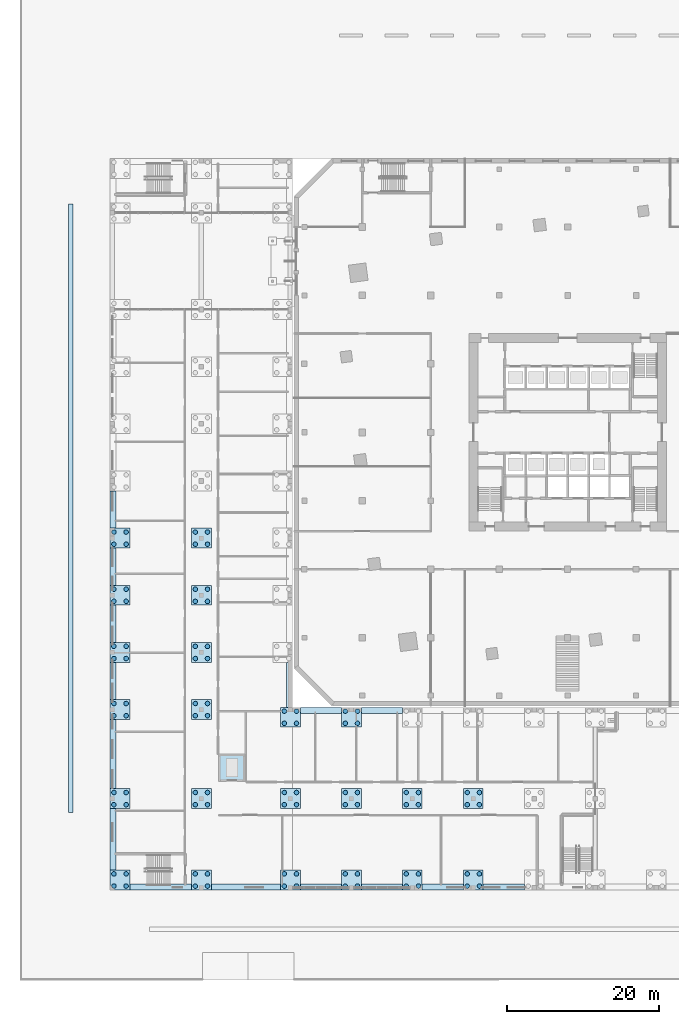
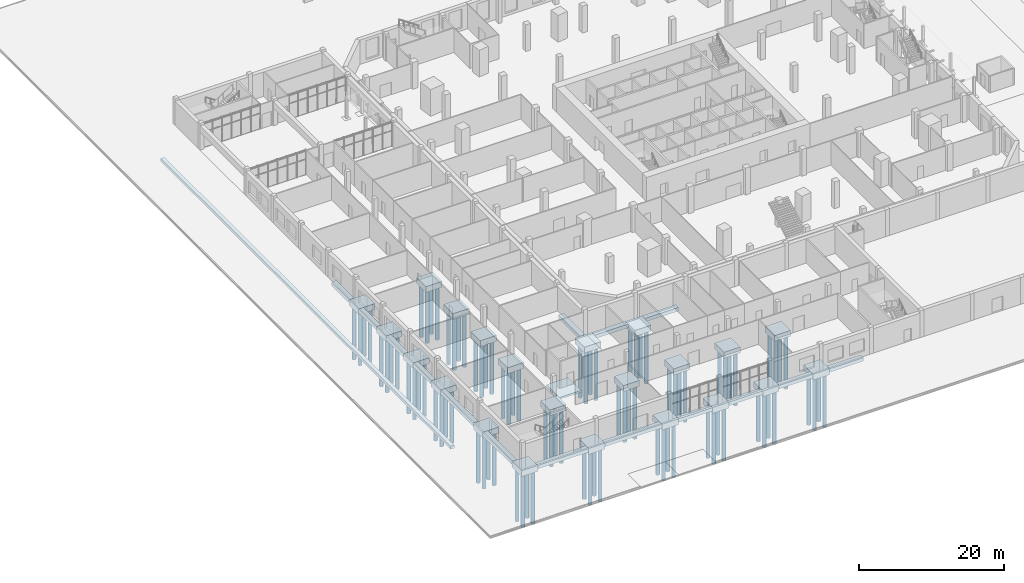
# One storey, part 1 of 42: 88 piles, 39 footings.
"""IFC4 building model written with IfcOpenShell, lengths in metres."""

from ifc_helpers import new_model, si_unit, direction, frame, origin, origin_2d, place, context, subcontext, project, spatial, polyline, circle, outline, extrude, material, layer, layer_set, material_profile, profile_set, type_object, element, save


model = new_model("IFC4")

# Units and contexts
model_context = context("Model", 3, precision=1e-05, world=origin(), true_north=direction((0.0, 1.0)))
body_context = subcontext(model_context, "Body", "Model", "MODEL_VIEW")
ifc_project = project(units=[si_unit("LENGTHUNIT", "METRE"), si_unit("AREAUNIT", "SQUARE_METRE"), si_unit("VOLUMEUNIT", "CUBIC_METRE"), si_unit("PLANEANGLEUNIT", "RADIAN"), si_unit("MASSUNIT", "GRAM", prefix="KILO")], contexts=[model_context])

# Site, building, storey
site_placement = place(None, origin())
site = spatial("IfcSite", under=ifc_project, at=site_placement, CompositionType="ELEMENT")
building_placement = place(site_placement, origin())
building = spatial("IfcBuilding", under=site, at=building_placement, Name="Dilmun Exchange Tower", CompositionType="ELEMENT")
storey_placement = place(building_placement, origin())
storey = spatial("IfcBuildingStorey", under=building, at=storey_placement, Name="L00", CompositionType="ELEMENT", Elevation=0.0)

# Piles
ifc_material_1 = material(Name="Concrete C32/40", Category="concrete")
ifc_material_profile = material_profile(ifc_material_1, circle(Radius=0.300048828125, at=origin_2d()), Name="D600")
ifc_profile_set = profile_set([ifc_material_profile], Name="Concrete C32/40")
pile_type = type_object("IfcPileType", Name="School bored pile D600", PredefinedType="BORED", material=ifc_profile_set)
for number, where, z_axis, x_axis, name in (
    (1, (-59.64990234375, -59.64990234375, -1.050048828125), (0.0, 0.0, -1.0), (1.0, 0.0, 0.0), "School pile X01Y01"),
    (2, (-59.64990234375, -58.050048828125, -1.050048828125), (0.0, 0.0, -1.0), (1.0, 0.0, 0.0), "School pile X01Y01"),
    (3, (-58.050048828125, -59.64990234375, -1.050048828125), (0.0, 0.0, -1.0), (1.0, 0.0, 0.0), "School pile X01Y01"),
    (4, (-58.050048828125, -58.050048828125, -1.050048828125), (0.0, 0.0, -1.0), (1.0, 0.0, 0.0), "School pile X01Y01"),
    (5, (-59.64990234375, -48.949951171875, -1.050048828125), (0.0, 0.0, -1.0), (1.0, 0.0, 0.0), "School pile X01Y02"),
    (6, (-59.64990234375, -47.35009765625, -1.050048828125), (0.0, 0.0, -1.0), (1.0, 0.0, 0.0), "School pile X01Y02"),
    (7, (-58.050048828125, -48.949951171875, -1.050048828125), (0.0, 0.0, -1.0), (1.0, 0.0, 0.0), "School pile X01Y02"),
    (8, (-58.050048828125, -47.35009765625, -1.050048828125), (0.0, 0.0, -1.0), (1.0, 0.0, 0.0), "School pile X01Y02"),
    (9, (-59.64990234375, -37.25, -1.050048828125), (0.0, 0.0, -1.0), (1.0, 0.0, 0.0), "School pile X01Y03"),
    (10, (-59.64990234375, -35.64990234375, -1.050048828125), (0.0, 0.0, -1.0), (1.0, 0.0, 0.0), "School pile X01Y03"),
    (11, (-58.050048828125, -37.25, -1.050048828125), (0.0, 0.0, -1.0), (1.0, 0.0, 0.0), "School pile X01Y03"),
    (12, (-58.050048828125, -35.64990234375, -1.050048828125), (0.0, 0.0, -1.0), (1.0, 0.0, 0.0), "School pile X01Y03"),
    (13, (-59.64990234375, -29.736083984375, -1.050048828125), (0.0, 0.0, -1.0), (1.0, 0.0, 0.0), "School pile X01Y04"),
    (14, (-59.64990234375, -28.135986328125, -1.050048828125), (0.0, 0.0, -1.0), (1.0, 0.0, 0.0), "School pile X01Y04"),
    (15, (-58.050048828125, -29.736083984375, -1.050048828125), (0.0, 0.0, -1.0), (1.0, 0.0, 0.0), "School pile X01Y04"),
    (16, (-58.050048828125, -28.135986328125, -1.050048828125), (0.0, 0.0, -1.0), (1.0, 0.0, 0.0), "School pile X01Y04"),
    (17, (-59.64990234375, -22.220947265625, -1.050048828125), (0.0, 0.0, -1.0), (1.0, 0.0, 0.0), "School pile X01Y05"),
    (18, (-59.64990234375, -20.62109375, -1.050048828125), (0.0, 0.0, -1.0), (1.0, 0.0, 0.0), "School pile X01Y05"),
    (19, (-58.050048828125, -22.220947265625, -1.050048828125), (0.0, 0.0, -1.0), (1.0, 0.0, 0.0), "School pile X01Y05"),
    (20, (-58.050048828125, -20.62109375, -1.050048828125), (0.0, 0.0, -1.0), (1.0, 0.0, 0.0), "School pile X01Y05"),
    (21, (-59.64990234375, -14.70703125, -1.050048828125), (0.0, 0.0, -1.0), (1.0, 0.0, 0.0), "School pile X01Y06"),
    (22, (-59.64990234375, -13.10693359375, -1.050048828125), (0.0, 0.0, -1.0), (1.0, 0.0, 0.0), "School pile X01Y06"),
    (23, (-58.050048828125, -14.70703125, -1.050048828125), (0.0, 0.0, -1.0), (1.0, 0.0, 0.0), "School pile X01Y06"),
    (24, (-58.050048828125, -13.10693359375, -1.050048828125), (0.0, 0.0, -1.0), (1.0, 0.0, 0.0), "School pile X01Y06"),
    (25, (-48.949951171875, -59.64990234375, -1.050048828125), (0.0, 0.0, -1.0), (1.0, 0.0, 0.0), "School pile X02Y01"),
    (26, (-48.949951171875, -58.050048828125, -1.050048828125), (0.0, 0.0, -1.0), (1.0, 0.0, 0.0), "School pile X02Y01"),
    (27, (-47.35009765625, -59.64990234375, -1.050048828125), (0.0, 0.0, -1.0), (1.0, 0.0, 0.0), "School pile X02Y01"),
    (28, (-47.35009765625, -58.050048828125, -1.050048828125), (0.0, 0.0, -1.0), (1.0, 0.0, 0.0), "School pile X02Y01"),
    (29, (-48.949951171875, -48.949951171875, -1.050048828125), (0.0, 0.0, -1.0), (1.0, 0.0, 0.0), "School pile X02Y02"),
    (30, (-48.949951171875, -47.35009765625, -1.050048828125), (0.0, 0.0, -1.0), (1.0, 0.0, 0.0), "School pile X02Y02"),
    (31, (-47.35009765625, -48.949951171875, -1.050048828125), (0.0, 0.0, -1.0), (1.0, 0.0, 0.0), "School pile X02Y02"),
    (32, (-47.35009765625, -47.35009765625, -1.050048828125), (0.0, 0.0, -1.0), (1.0, 0.0, 0.0), "School pile X02Y02"),
    (33, (-48.949951171875, -37.25, -1.050048828125), (0.0, 0.0, -1.0), (1.0, 0.0, 0.0), "School pile X02Y03"),
    (34, (-48.949951171875, -35.64990234375, -1.050048828125), (0.0, 0.0, -1.0), (1.0, 0.0, 0.0), "School pile X02Y03"),
    (35, (-47.35009765625, -37.25, -1.050048828125), (0.0, 0.0, -1.0), (1.0, 0.0, 0.0), "School pile X02Y03"),
    (36, (-47.35009765625, -35.64990234375, -1.050048828125), (0.0, 0.0, -1.0), (1.0, 0.0, 0.0), "School pile X02Y03"),
    (37, (-48.949951171875, -29.736083984375, -1.050048828125), (0.0, 0.0, -1.0), (1.0, 0.0, 0.0), "School pile X02Y04"),
    (38, (-48.949951171875, -28.135986328125, -1.050048828125), (0.0, 0.0, -1.0), (1.0, 0.0, 0.0), "School pile X02Y04"),
    (39, (-47.35009765625, -29.736083984375, -1.050048828125), (0.0, 0.0, -1.0), (1.0, 0.0, 0.0), "School pile X02Y04"),
    (40, (-47.35009765625, -28.135986328125, -1.050048828125), (0.0, 0.0, -1.0), (1.0, 0.0, 0.0), "School pile X02Y04"),
    (41, (-48.949951171875, -22.220947265625, -1.050048828125), (0.0, 0.0, -1.0), (1.0, 0.0, 0.0), "School pile X02Y05"),
    (42, (-48.949951171875, -20.62109375, -1.050048828125), (0.0, 0.0, -1.0), (1.0, 0.0, 0.0), "School pile X02Y05"),
    (43, (-47.35009765625, -22.220947265625, -1.050048828125), (0.0, 0.0, -1.0), (1.0, 0.0, 0.0), "School pile X02Y05"),
    (44, (-47.35009765625, -20.62109375, -1.050048828125), (0.0, 0.0, -1.0), (1.0, 0.0, 0.0), "School pile X02Y05"),
    (45, (-48.949951171875, -14.70703125, -1.050048828125), (0.0, 0.0, -1.0), (1.0, 0.0, 0.0), "School pile X02Y06"),
    (46, (-48.949951171875, -13.10693359375, -1.050048828125), (0.0, 0.0, -1.0), (1.0, 0.0, 0.0), "School pile X02Y06"),
    (47, (-47.35009765625, -14.70703125, -1.050048828125), (0.0, 0.0, -1.0), (1.0, 0.0, 0.0), "School pile X02Y06"),
    (48, (-47.35009765625, -13.10693359375, -1.050048828125), (0.0, 0.0, -1.0), (1.0, 0.0, 0.0), "School pile X02Y06"),
    (49, (-37.25, -59.64990234375, -1.050048828125), (0.0, 0.0, -1.0), (1.0, 0.0, 0.0), "School pile X03Y01"),
    (50, (-37.25, -58.050048828125, -1.050048828125), (0.0, 0.0, -1.0), (1.0, 0.0, 0.0), "School pile X03Y01"),
    (51, (-35.64990234375, -59.64990234375, -1.050048828125), (0.0, 0.0, -1.0), (1.0, 0.0, 0.0), "School pile X03Y01"),
    (52, (-35.64990234375, -58.050048828125, -1.050048828125), (0.0, 0.0, -1.0), (1.0, 0.0, 0.0), "School pile X03Y01"),
    (53, (-37.25, -48.949951171875, -1.050048828125), (0.0, 0.0, -1.0), (1.0, 0.0, 0.0), "School pile X03Y02"),
    (54, (-37.25, -47.35009765625, -1.050048828125), (0.0, 0.0, -1.0), (1.0, 0.0, 0.0), "School pile X03Y02"),
    (55, (-35.64990234375, -48.949951171875, -1.050048828125), (0.0, 0.0, -1.0), (1.0, 0.0, 0.0), "School pile X03Y02"),
    (56, (-35.64990234375, -47.35009765625, -1.050048828125), (0.0, 0.0, -1.0), (1.0, 0.0, 0.0), "School pile X03Y02"),
    (57, (-37.25, -38.25, -1.050048828125), (0.0, 0.0, -1.0), (1.0, 0.0, 0.0), "School pile X03Y03"),
    (58, (-37.25, -36.64990234375, -1.050048828125), (0.0, 0.0, -1.0), (1.0, 0.0, 0.0), "School pile X03Y03"),
    (59, (-35.64990234375, -38.25, -1.050048828125), (0.0, 0.0, -1.0), (1.0, 0.0, 0.0), "School pile X03Y03"),
    (60, (-35.64990234375, -36.64990234375, -1.050048828125), (0.0, 0.0, -1.0), (1.0, 0.0, 0.0), "School pile X03Y03"),
    (61, (-29.23291015625, -59.64990234375, -1.050048828125), (0.0, 0.0, -1.0), (1.0, 0.0, 0.0), "School pile X04Y01"),
    (62, (-29.23291015625, -58.050048828125, -1.050048828125), (0.0, 0.0, -1.0), (1.0, 0.0, 0.0), "School pile X04Y01"),
    (63, (-27.633056640625, -59.64990234375, -1.050048828125), (0.0, 0.0, -1.0), (1.0, 0.0, 0.0), "School pile X04Y01"),
    (64, (-27.633056640625, -58.050048828125, -1.050048828125), (0.0, 0.0, -1.0), (1.0, 0.0, 0.0), "School pile X04Y01"),
    (65, (-29.23291015625, -48.949951171875, -1.050048828125), (0.0, 0.0, -1.0), (1.0, 0.0, 0.0), "School pile X04Y02"),
    (66, (-29.23291015625, -47.35009765625, -1.050048828125), (0.0, 0.0, -1.0), (1.0, 0.0, 0.0), "School pile X04Y02"),
    (67, (-27.633056640625, -48.949951171875, -1.050048828125), (0.0, 0.0, -1.0), (1.0, 0.0, 0.0), "School pile X04Y02"),
    (68, (-27.633056640625, -47.35009765625, -1.050048828125), (0.0, 0.0, -1.0), (1.0, 0.0, 0.0), "School pile X04Y02"),
    (69, (-29.23291015625, -38.25, -1.050048828125), (0.0, 0.0, -1.0), (1.0, 0.0, 0.0), "School pile X04Y03"),
    (70, (-29.23291015625, -36.64990234375, -1.050048828125), (0.0, 0.0, -1.0), (1.0, 0.0, 0.0), "School pile X04Y03"),
    (71, (-27.633056640625, -38.25, -1.050048828125), (0.0, 0.0, -1.0), (1.0, 0.0, 0.0), "School pile X04Y03"),
    (72, (-27.633056640625, -36.64990234375, -1.050048828125), (0.0, 0.0, -1.0), (1.0, 0.0, 0.0), "School pile X04Y03"),
    (73, (-21.217041015625, -59.64990234375, -1.050048828125), (0.0, 0.0, -1.0), (1.0, 0.0, 0.0), "School pile X05Y01"),
    (74, (-21.217041015625, -58.050048828125, -1.050048828125), (0.0, 0.0, -1.0), (1.0, 0.0, 0.0), "School pile X05Y01"),
    (75, (-19.616943359375, -59.64990234375, -1.050048828125), (0.0, 0.0, -1.0), (1.0, 0.0, 0.0), "School pile X05Y01"),
    (76, (-19.616943359375, -58.050048828125, -1.050048828125), (0.0, 0.0, -1.0), (1.0, 0.0, 0.0), "School pile X05Y01"),
    (77, (-21.217041015625, -48.949951171875, -1.050048828125), (0.0, 0.0, -1.0), (1.0, 0.0, 0.0), "School pile X05Y02"),
    (78, (-21.217041015625, -47.35009765625, -1.050048828125), (0.0, 0.0, -1.0), (1.0, 0.0, 0.0), "School pile X05Y02"),
    (79, (-19.616943359375, -48.949951171875, -1.050048828125), (0.0, 0.0, -1.0), (1.0, 0.0, 0.0), "School pile X05Y02"),
    (80, (-19.616943359375, -47.35009765625, -1.050048828125), (0.0, 0.0, -1.0), (1.0, 0.0, 0.0), "School pile X05Y02"),
    (81, (-13.199951171875, -59.64990234375, -1.050048828125), (0.0, 0.0, -1.0), (1.0, 0.0, 0.0), "School pile X06Y01"),
    (82, (-13.199951171875, -58.050048828125, -1.050048828125), (0.0, 0.0, -1.0), (1.0, 0.0, 0.0), "School pile X06Y01"),
    (83, (-11.60009765625, -59.64990234375, -1.050048828125), (0.0, 0.0, -1.0), (1.0, 0.0, 0.0), "School pile X06Y01"),
    (84, (-11.60009765625, -58.050048828125, -1.050048828125), (0.0, 0.0, -1.0), (1.0, 0.0, 0.0), "School pile X06Y01"),
    (85, (-13.199951171875, -48.949951171875, -1.050048828125), (0.0, 0.0, -1.0), (1.0, 0.0, 0.0), "School pile X06Y02"),
    (86, (-13.199951171875, -47.35009765625, -1.050048828125), (0.0, 0.0, -1.0), (1.0, 0.0, 0.0), "School pile X06Y02"),
    (87, (-11.60009765625, -48.949951171875, -1.050048828125), (0.0, 0.0, -1.0), (1.0, 0.0, 0.0), "School pile X06Y02"),
    (88, (-11.60009765625, -47.35009765625, -1.050048828125), (0.0, 0.0, -1.0), (1.0, 0.0, 0.0), "School pile X06Y02"),
):
    element("IfcPile", number, at=place(storey_placement, frame(where, z_axis=z_axis, x_axis=x_axis)), inside=storey, type_object=pile_type, Name=name, PredefinedType="BORED", context=body_context, shape_type="SweptSolid", body=[
        extrude(circle(Radius=0.300048828125, at=origin_2d()), origin(), (0.0, 0.0, 1.0), 9.0),
    ])

# Footings
ifc_material_2 = material(Name="Concrete C40/50", Category="concrete")
footing_type_1 = type_object("IfcFootingType", Name="School grade beam 800 x 600", PredefinedType="STRIP_FOOTING", material=ifc_material_2)
footing_1_placement = place(storey_placement, frame((0.0, 0.0, -0.800048828125)))
element("IfcFooting", 89, at=footing_1_placement, inside=storey, type_object=footing_type_1, Name="School grade beam", PredefinedType="STRIP_FOOTING", context=body_context, shape_type="SweptSolid", body=[
    extrude(outline(polyline([(-59.35009765625, -49.449951171875), (-59.35009765625, -57.550048828125), (-60.14990234375, -57.550048828125), (-60.14990234375, -49.449951171875), (-59.35009765625, -49.449951171875)])), origin(), (0.0, 0.0, 1.0), 0.60009765625),
])
footing_2_placement = place(storey_placement, frame((0.0, 0.0, -0.800048828125)))
element("IfcFooting", 90, at=footing_2_placement, inside=storey, type_object=footing_type_1, Name="School grade beam", PredefinedType="STRIP_FOOTING", context=body_context, shape_type="SweptSolid", body=[
    extrude(outline(polyline([(-59.35009765625, -37.75), (-59.35009765625, -46.85009765625), (-60.14990234375, -46.85009765625), (-60.14990234375, -37.75), (-59.35009765625, -37.75)])), origin(), (0.0, 0.0, 1.0), 0.60009765625),
])
footing_3_placement = place(storey_placement, frame((0.0, 0.0, -0.800048828125)))
element("IfcFooting", 91, at=footing_3_placement, inside=storey, type_object=footing_type_1, Name="School grade beam", PredefinedType="STRIP_FOOTING", context=body_context, shape_type="SweptSolid", body=[
    extrude(outline(polyline([(-59.35009765625, -30.236083984375), (-59.35009765625, -35.14990234375), (-60.14990234375, -35.14990234375), (-60.14990234375, -30.236083984375), (-59.35009765625, -30.236083984375)])), origin(), (0.0, 0.0, 1.0), 0.60009765625),
])
footing_4_placement = place(storey_placement, frame((0.0, 0.0, -0.800048828125)))
element("IfcFooting", 92, at=footing_4_placement, inside=storey, type_object=footing_type_1, Name="School grade beam", PredefinedType="STRIP_FOOTING", context=body_context, shape_type="SweptSolid", body=[
    extrude(outline(polyline([(-59.35009765625, -22.720947265625), (-59.35009765625, -27.635986328125), (-60.14990234375, -27.635986328125), (-60.14990234375, -22.720947265625), (-59.35009765625, -22.720947265625)])), origin(), (0.0, 0.0, 1.0), 0.60009765625),
])
footing_5_placement = place(storey_placement, frame((0.0, 0.0, -0.800048828125)))
element("IfcFooting", 93, at=footing_5_placement, inside=storey, type_object=footing_type_1, Name="School grade beam", PredefinedType="STRIP_FOOTING", context=body_context, shape_type="SweptSolid", body=[
    extrude(outline(polyline([(-59.35009765625, -15.20703125), (-59.35009765625, -20.12109375), (-60.14990234375, -20.12109375), (-60.14990234375, -15.20703125), (-59.35009765625, -15.20703125)])), origin(), (0.0, 0.0, 1.0), 0.60009765625),
])
footing_6_placement = place(storey_placement, frame((0.0, 0.0, -0.800048828125)))
element("IfcFooting", 94, at=footing_6_placement, inside=storey, type_object=footing_type_1, Name="School grade beam", PredefinedType="STRIP_FOOTING", context=body_context, shape_type="SweptSolid", body=[
    extrude(outline(polyline([(-59.35009765625, -7.693115234375), (-59.35009765625, -12.60693359375), (-60.14990234375, -12.60693359375), (-60.14990234375, -7.693115234375), (-59.35009765625, -7.693115234375)])), origin(), (0.0, 0.0, 1.0), 0.60009765625),
])
footing_7_placement = place(storey_placement, frame((0.0, 0.0, -0.800048828125)))
element("IfcFooting", 95, at=footing_7_placement, inside=storey, type_object=footing_type_1, Name="School grade beam", PredefinedType="STRIP_FOOTING", context=body_context, shape_type="SweptSolid", body=[
    extrude(outline(polyline([(-36.949951171875, -36.14990234375), (-36.949951171875, -30.236083984375), (-36.14990234375, -30.236083984375), (-36.14990234375, -36.14990234375), (-36.949951171875, -36.14990234375)])), origin(), (0.0, 0.0, 1.0), 0.60009765625),
])
footing_8_placement = place(storey_placement, frame((0.0, 0.0, -0.800048828125)))
element("IfcFooting", 96, at=footing_8_placement, inside=storey, type_object=footing_type_1, Name="School grade beam", PredefinedType="STRIP_FOOTING", context=body_context, shape_type="SweptSolid", body=[
    extrude(outline(polyline([(-29.73291015625, -36.949951171875), (-35.14990234375, -36.949951171875), (-35.14990234375, -36.14990234375), (-29.73291015625, -36.14990234375), (-29.73291015625, -36.949951171875)])), origin(), (0.0, 0.0, 1.0), 0.60009765625),
])
footing_9_placement = place(storey_placement, frame((0.0, 0.0, -0.800048828125)))
element("IfcFooting", 97, at=footing_9_placement, inside=storey, type_object=footing_type_1, Name="School grade beam", PredefinedType="STRIP_FOOTING", context=body_context, shape_type="SweptSolid", body=[
    extrude(outline(polyline([(-21.717041015625, -36.949951171875), (-27.133056640625, -36.949951171875), (-27.133056640625, -36.14990234375), (-21.717041015625, -36.14990234375), (-21.717041015625, -36.949951171875)])), origin(), (0.0, 0.0, 1.0), 0.60009765625),
])
footing_10_placement = place(storey_placement, frame((0.0, 0.0, -0.800048828125)))
element("IfcFooting", 98, at=footing_10_placement, inside=storey, type_object=footing_type_1, Name="School grade beam", PredefinedType="STRIP_FOOTING", context=body_context, shape_type="SweptSolid", body=[
    extrude(outline(polyline([(-11.10009765625, -59.35009765625), (-5.68310546875, -59.35009765625), (-5.68310546875, -60.14990234375), (-11.10009765625, -60.14990234375), (-11.10009765625, -59.35009765625)])), origin(), (0.0, 0.0, 1.0), 0.60009765625),
])
footing_11_placement = place(storey_placement, frame((0.0, 0.0, -0.800048828125)))
element("IfcFooting", 99, at=footing_11_placement, inside=storey, type_object=footing_type_1, Name="School grade beam", PredefinedType="STRIP_FOOTING", context=body_context, shape_type="SweptSolid", body=[
    extrude(outline(polyline([(-19.116943359375, -59.35009765625), (-13.699951171875, -59.35009765625), (-13.699951171875, -60.14990234375), (-19.116943359375, -60.14990234375), (-19.116943359375, -59.35009765625)])), origin(), (0.0, 0.0, 1.0), 0.60009765625),
])
footing_12_placement = place(storey_placement, frame((0.0, 0.0, -0.800048828125)))
element("IfcFooting", 100, at=footing_12_placement, inside=storey, type_object=footing_type_1, Name="School grade beam", PredefinedType="STRIP_FOOTING", context=body_context, shape_type="SweptSolid", body=[
    extrude(outline(polyline([(-27.133056640625, -59.35009765625), (-21.717041015625, -59.35009765625), (-21.717041015625, -60.14990234375), (-27.133056640625, -60.14990234375), (-27.133056640625, -59.35009765625)])), origin(), (0.0, 0.0, 1.0), 0.60009765625),
])
footing_13_placement = place(storey_placement, frame((0.0, 0.0, -0.800048828125)))
element("IfcFooting", 101, at=footing_13_placement, inside=storey, type_object=footing_type_1, Name="School grade beam", PredefinedType="STRIP_FOOTING", context=body_context, shape_type="SweptSolid", body=[
    extrude(outline(polyline([(-35.14990234375, -59.35009765625), (-29.73291015625, -59.35009765625), (-29.73291015625, -60.14990234375), (-35.14990234375, -60.14990234375), (-35.14990234375, -59.35009765625)])), origin(), (0.0, 0.0, 1.0), 0.60009765625),
])
footing_14_placement = place(storey_placement, frame((0.0, 0.0, -0.800048828125)))
element("IfcFooting", 102, at=footing_14_placement, inside=storey, type_object=footing_type_1, Name="School grade beam", PredefinedType="STRIP_FOOTING", context=body_context, shape_type="SweptSolid", body=[
    extrude(outline(polyline([(-46.85009765625, -59.35009765625), (-37.75, -59.35009765625), (-37.75, -60.14990234375), (-46.85009765625, -60.14990234375), (-46.85009765625, -59.35009765625)])), origin(), (0.0, 0.0, 1.0), 0.60009765625),
])
footing_15_placement = place(storey_placement, frame((0.0, 0.0, -0.800048828125)))
element("IfcFooting", 103, at=footing_15_placement, inside=storey, type_object=footing_type_1, Name="School grade beam", PredefinedType="STRIP_FOOTING", context=body_context, shape_type="SweptSolid", body=[
    extrude(outline(polyline([(-57.550048828125, -59.35009765625), (-49.449951171875, -59.35009765625), (-49.449951171875, -60.14990234375), (-57.550048828125, -60.14990234375), (-57.550048828125, -59.35009765625)])), origin(), (0.0, 0.0, 1.0), 0.60009765625),
])
ifc_layer = layer(ifc_material_2, 0.300048828125)
ifc_layer_set = layer_set([ifc_layer], Name="Concrete C40/50")
footing_type_2 = type_object("IfcFootingType", Name="School lift pit base 300", PredefinedType="PAD_FOOTING", material=ifc_layer_set)
footing_16_placement = place(storey_placement, frame((0.0, 0.0, -1.800048828125)))
element("IfcFooting", 104, at=footing_16_placement, inside=storey, type_object=footing_type_2, Name="School lift pit base", PredefinedType="PAD_FOOTING", context=body_context, shape_type="SweptSolid", body=[
    extrude(outline(polyline([(-45.89990234375, -45.89990234375), (-45.89990234375, -42.300048828125), (-42.39990234375, -42.300048828125), (-42.39990234375, -45.89990234375), (-45.89990234375, -45.89990234375)])), origin(), (0.0, 0.0, 1.0), 0.300048828125),
])
footing_type_3 = type_object("IfcFootingType", Name="School pad footing 2600 x 2600 x 1000", PredefinedType="PAD_FOOTING", material=ifc_material_2)
footing_17_placement = place(storey_placement, frame((0.0, 0.0, -1.199951171875)))
element("IfcFooting", 105, at=footing_17_placement, inside=storey, type_object=footing_type_3, Name="School pad footing X01Y01", PredefinedType="PAD_FOOTING", context=body_context, shape_type="SweptSolid", body=[
    extrude(outline(polyline([(-60.14990234375, -60.14990234375), (-60.14990234375, -57.550048828125), (-57.550048828125, -57.550048828125), (-57.550048828125, -60.14990234375), (-60.14990234375, -60.14990234375)])), origin(), (0.0, 0.0, 1.0), 1.0),
])
footing_18_placement = place(storey_placement, frame((0.0, 0.0, -1.199951171875)))
element("IfcFooting", 106, at=footing_18_placement, inside=storey, type_object=footing_type_3, Name="School pad footing X01Y02", PredefinedType="PAD_FOOTING", context=body_context, shape_type="SweptSolid", body=[
    extrude(outline(polyline([(-60.14990234375, -49.449951171875), (-60.14990234375, -46.85009765625), (-57.550048828125, -46.85009765625), (-57.550048828125, -49.449951171875), (-60.14990234375, -49.449951171875)])), origin(), (0.0, 0.0, 1.0), 1.0),
])
footing_19_placement = place(storey_placement, frame((0.0, 0.0, -1.199951171875)))
element("IfcFooting", 107, at=footing_19_placement, inside=storey, type_object=footing_type_3, Name="School pad footing X01Y03", PredefinedType="PAD_FOOTING", context=body_context, shape_type="SweptSolid", body=[
    extrude(outline(polyline([(-60.14990234375, -37.75), (-60.14990234375, -35.14990234375), (-57.550048828125, -35.14990234375), (-57.550048828125, -37.75), (-60.14990234375, -37.75)])), origin(), (0.0, 0.0, 1.0), 1.0),
])
footing_20_placement = place(storey_placement, frame((0.0, 0.0, -1.199951171875)))
element("IfcFooting", 108, at=footing_20_placement, inside=storey, type_object=footing_type_3, Name="School pad footing X01Y04", PredefinedType="PAD_FOOTING", context=body_context, shape_type="SweptSolid", body=[
    extrude(outline(polyline([(-60.14990234375, -30.236083984375), (-60.14990234375, -27.635986328125), (-57.550048828125, -27.635986328125), (-57.550048828125, -30.236083984375), (-60.14990234375, -30.236083984375)])), origin(), (0.0, 0.0, 1.0), 1.0),
])
footing_21_placement = place(storey_placement, frame((0.0, 0.0, -1.199951171875)))
element("IfcFooting", 109, at=footing_21_placement, inside=storey, type_object=footing_type_3, Name="School pad footing X01Y05", PredefinedType="PAD_FOOTING", context=body_context, shape_type="SweptSolid", body=[
    extrude(outline(polyline([(-60.14990234375, -22.720947265625), (-60.14990234375, -20.12109375), (-57.550048828125, -20.12109375), (-57.550048828125, -22.720947265625), (-60.14990234375, -22.720947265625)])), origin(), (0.0, 0.0, 1.0), 1.0),
])
footing_22_placement = place(storey_placement, frame((0.0, 0.0, -1.199951171875)))
element("IfcFooting", 110, at=footing_22_placement, inside=storey, type_object=footing_type_3, Name="School pad footing X01Y06", PredefinedType="PAD_FOOTING", context=body_context, shape_type="SweptSolid", body=[
    extrude(outline(polyline([(-60.14990234375, -15.20703125), (-60.14990234375, -12.60693359375), (-57.550048828125, -12.60693359375), (-57.550048828125, -15.20703125), (-60.14990234375, -15.20703125)])), origin(), (0.0, 0.0, 1.0), 1.0),
])
footing_23_placement = place(storey_placement, frame((0.0, 0.0, -1.199951171875)))
element("IfcFooting", 111, at=footing_23_placement, inside=storey, type_object=footing_type_3, Name="School pad footing X02Y01", PredefinedType="PAD_FOOTING", context=body_context, shape_type="SweptSolid", body=[
    extrude(outline(polyline([(-49.449951171875, -60.14990234375), (-49.449951171875, -57.550048828125), (-46.85009765625, -57.550048828125), (-46.85009765625, -60.14990234375), (-49.449951171875, -60.14990234375)])), origin(), (0.0, 0.0, 1.0), 1.0),
])
footing_24_placement = place(storey_placement, frame((0.0, 0.0, -1.199951171875)))
element("IfcFooting", 112, at=footing_24_placement, inside=storey, type_object=footing_type_3, Name="School pad footing X02Y02", PredefinedType="PAD_FOOTING", context=body_context, shape_type="SweptSolid", body=[
    extrude(outline(polyline([(-49.449951171875, -49.449951171875), (-49.449951171875, -46.85009765625), (-46.85009765625, -46.85009765625), (-46.85009765625, -49.449951171875), (-49.449951171875, -49.449951171875)])), origin(), (0.0, 0.0, 1.0), 1.0),
])
footing_25_placement = place(storey_placement, frame((0.0, 0.0, -1.199951171875)))
element("IfcFooting", 113, at=footing_25_placement, inside=storey, type_object=footing_type_3, Name="School pad footing X02Y03", PredefinedType="PAD_FOOTING", context=body_context, shape_type="SweptSolid", body=[
    extrude(outline(polyline([(-49.449951171875, -37.75), (-49.449951171875, -35.14990234375), (-46.85009765625, -35.14990234375), (-46.85009765625, -37.75), (-49.449951171875, -37.75)])), origin(), (0.0, 0.0, 1.0), 1.0),
])
footing_26_placement = place(storey_placement, frame((0.0, 0.0, -1.199951171875)))
element("IfcFooting", 114, at=footing_26_placement, inside=storey, type_object=footing_type_3, Name="School pad footing X02Y04", PredefinedType="PAD_FOOTING", context=body_context, shape_type="SweptSolid", body=[
    extrude(outline(polyline([(-49.449951171875, -30.236083984375), (-49.449951171875, -27.635986328125), (-46.85009765625, -27.635986328125), (-46.85009765625, -30.236083984375), (-49.449951171875, -30.236083984375)])), origin(), (0.0, 0.0, 1.0), 1.0),
])
footing_27_placement = place(storey_placement, frame((0.0, 0.0, -1.199951171875)))
element("IfcFooting", 115, at=footing_27_placement, inside=storey, type_object=footing_type_3, Name="School pad footing X02Y05", PredefinedType="PAD_FOOTING", context=body_context, shape_type="SweptSolid", body=[
    extrude(outline(polyline([(-49.449951171875, -22.720947265625), (-49.449951171875, -20.12109375), (-46.85009765625, -20.12109375), (-46.85009765625, -22.720947265625), (-49.449951171875, -22.720947265625)])), origin(), (0.0, 0.0, 1.0), 1.0),
])
footing_28_placement = place(storey_placement, frame((0.0, 0.0, -1.199951171875)))
element("IfcFooting", 116, at=footing_28_placement, inside=storey, type_object=footing_type_3, Name="School pad footing X02Y06", PredefinedType="PAD_FOOTING", context=body_context, shape_type="SweptSolid", body=[
    extrude(outline(polyline([(-49.449951171875, -15.20703125), (-49.449951171875, -12.60693359375), (-46.85009765625, -12.60693359375), (-46.85009765625, -15.20703125), (-49.449951171875, -15.20703125)])), origin(), (0.0, 0.0, 1.0), 1.0),
])
footing_29_placement = place(storey_placement, frame((0.0, 0.0, -1.199951171875)))
element("IfcFooting", 117, at=footing_29_placement, inside=storey, type_object=footing_type_3, Name="School pad footing X03Y01", PredefinedType="PAD_FOOTING", context=body_context, shape_type="SweptSolid", body=[
    extrude(outline(polyline([(-37.75, -60.14990234375), (-37.75, -57.550048828125), (-35.14990234375, -57.550048828125), (-35.14990234375, -60.14990234375), (-37.75, -60.14990234375)])), origin(), (0.0, 0.0, 1.0), 1.0),
])
footing_30_placement = place(storey_placement, frame((0.0, 0.0, -1.199951171875)))
element("IfcFooting", 118, at=footing_30_placement, inside=storey, type_object=footing_type_3, Name="School pad footing X03Y02", PredefinedType="PAD_FOOTING", context=body_context, shape_type="SweptSolid", body=[
    extrude(outline(polyline([(-37.75, -49.449951171875), (-37.75, -46.85009765625), (-35.14990234375, -46.85009765625), (-35.14990234375, -49.449951171875), (-37.75, -49.449951171875)])), origin(), (0.0, 0.0, 1.0), 1.0),
])
footing_31_placement = place(storey_placement, frame((0.0, 0.0, -1.199951171875)))
element("IfcFooting", 119, at=footing_31_placement, inside=storey, type_object=footing_type_3, Name="School pad footing X03Y03", PredefinedType="PAD_FOOTING", context=body_context, shape_type="SweptSolid", body=[
    extrude(outline(polyline([(-37.75, -38.75), (-37.75, -36.14990234375), (-35.14990234375, -36.14990234375), (-35.14990234375, -38.75), (-37.75, -38.75)])), origin(), (0.0, 0.0, 1.0), 1.0),
])
footing_32_placement = place(storey_placement, frame((0.0, 0.0, -1.199951171875)))
element("IfcFooting", 120, at=footing_32_placement, inside=storey, type_object=footing_type_3, Name="School pad footing X04Y01", PredefinedType="PAD_FOOTING", context=body_context, shape_type="SweptSolid", body=[
    extrude(outline(polyline([(-29.73291015625, -60.14990234375), (-29.73291015625, -57.550048828125), (-27.133056640625, -57.550048828125), (-27.133056640625, -60.14990234375), (-29.73291015625, -60.14990234375)])), origin(), (0.0, 0.0, 1.0), 1.0),
])
footing_33_placement = place(storey_placement, frame((0.0, 0.0, -1.199951171875)))
element("IfcFooting", 121, at=footing_33_placement, inside=storey, type_object=footing_type_3, Name="School pad footing X04Y02", PredefinedType="PAD_FOOTING", context=body_context, shape_type="SweptSolid", body=[
    extrude(outline(polyline([(-29.73291015625, -49.449951171875), (-29.73291015625, -46.85009765625), (-27.133056640625, -46.85009765625), (-27.133056640625, -49.449951171875), (-29.73291015625, -49.449951171875)])), origin(), (0.0, 0.0, 1.0), 1.0),
])
footing_34_placement = place(storey_placement, frame((0.0, 0.0, -1.199951171875)))
element("IfcFooting", 122, at=footing_34_placement, inside=storey, type_object=footing_type_3, Name="School pad footing X04Y03", PredefinedType="PAD_FOOTING", context=body_context, shape_type="SweptSolid", body=[
    extrude(outline(polyline([(-29.73291015625, -38.75), (-29.73291015625, -36.14990234375), (-27.133056640625, -36.14990234375), (-27.133056640625, -38.75), (-29.73291015625, -38.75)])), origin(), (0.0, 0.0, 1.0), 1.0),
])
footing_35_placement = place(storey_placement, frame((0.0, 0.0, -1.199951171875)))
element("IfcFooting", 123, at=footing_35_placement, inside=storey, type_object=footing_type_3, Name="School pad footing X05Y01", PredefinedType="PAD_FOOTING", context=body_context, shape_type="SweptSolid", body=[
    extrude(outline(polyline([(-21.717041015625, -60.14990234375), (-21.717041015625, -57.550048828125), (-19.116943359375, -57.550048828125), (-19.116943359375, -60.14990234375), (-21.717041015625, -60.14990234375)])), origin(), (0.0, 0.0, 1.0), 1.0),
])
footing_36_placement = place(storey_placement, frame((0.0, 0.0, -1.199951171875)))
element("IfcFooting", 124, at=footing_36_placement, inside=storey, type_object=footing_type_3, Name="School pad footing X05Y02", PredefinedType="PAD_FOOTING", context=body_context, shape_type="SweptSolid", body=[
    extrude(outline(polyline([(-21.717041015625, -49.449951171875), (-21.717041015625, -46.85009765625), (-19.116943359375, -46.85009765625), (-19.116943359375, -49.449951171875), (-21.717041015625, -49.449951171875)])), origin(), (0.0, 0.0, 1.0), 1.0),
])
footing_37_placement = place(storey_placement, frame((0.0, 0.0, -1.199951171875)))
element("IfcFooting", 125, at=footing_37_placement, inside=storey, type_object=footing_type_3, Name="School pad footing X06Y01", PredefinedType="PAD_FOOTING", context=body_context, shape_type="SweptSolid", body=[
    extrude(outline(polyline([(-13.699951171875, -60.14990234375), (-13.699951171875, -57.550048828125), (-11.10009765625, -57.550048828125), (-11.10009765625, -60.14990234375), (-13.699951171875, -60.14990234375)])), origin(), (0.0, 0.0, 1.0), 1.0),
])
footing_38_placement = place(storey_placement, frame((0.0, 0.0, -1.199951171875)))
element("IfcFooting", 126, at=footing_38_placement, inside=storey, type_object=footing_type_3, Name="School pad footing X06Y02", PredefinedType="PAD_FOOTING", context=body_context, shape_type="SweptSolid", body=[
    extrude(outline(polyline([(-13.699951171875, -49.449951171875), (-13.699951171875, -46.85009765625), (-11.10009765625, -46.85009765625), (-11.10009765625, -49.449951171875), (-13.699951171875, -49.449951171875)])), origin(), (0.0, 0.0, 1.0), 1.0),
])
footing_type_4 = type_object("IfcFootingType", Name="Site edge footing 600 x 500", PredefinedType="STRIP_FOOTING", material=ifc_material_1)
footing_39_placement = place(storey_placement, frame((0.0, 0.0, -0.830078125)))
element("IfcFooting", 127, at=footing_39_placement, inside=storey, type_object=footing_type_4, Name="Site edge footing", PredefinedType="STRIP_FOOTING", context=body_context, shape_type="SweptSolid", body=[
    extrude(outline(polyline([(-65.0, 30.0), (-65.0, -50.0), (-65.60009765625, -50.0), (-65.60009765625, 30.0), (-65.0, 30.0)])), origin(), (0.0, 0.0, 1.0), 0.5),
])

save(model, "model.ifc")
